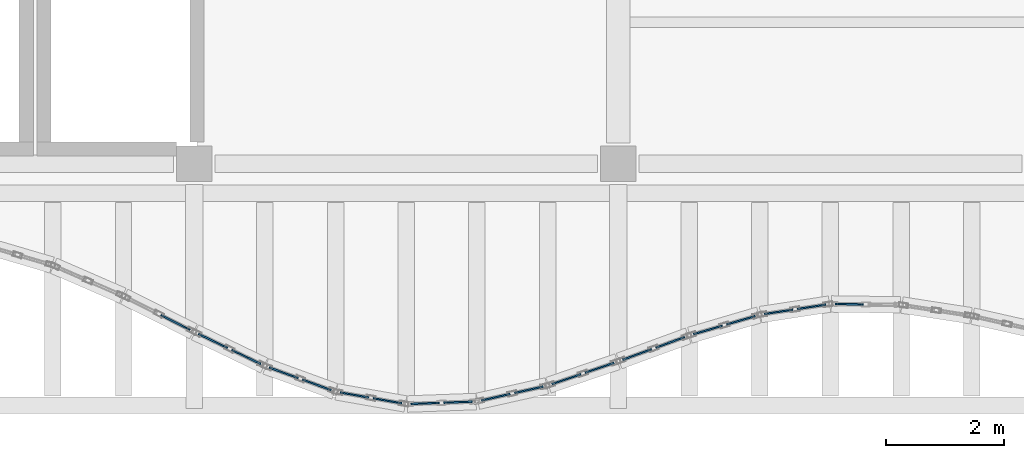
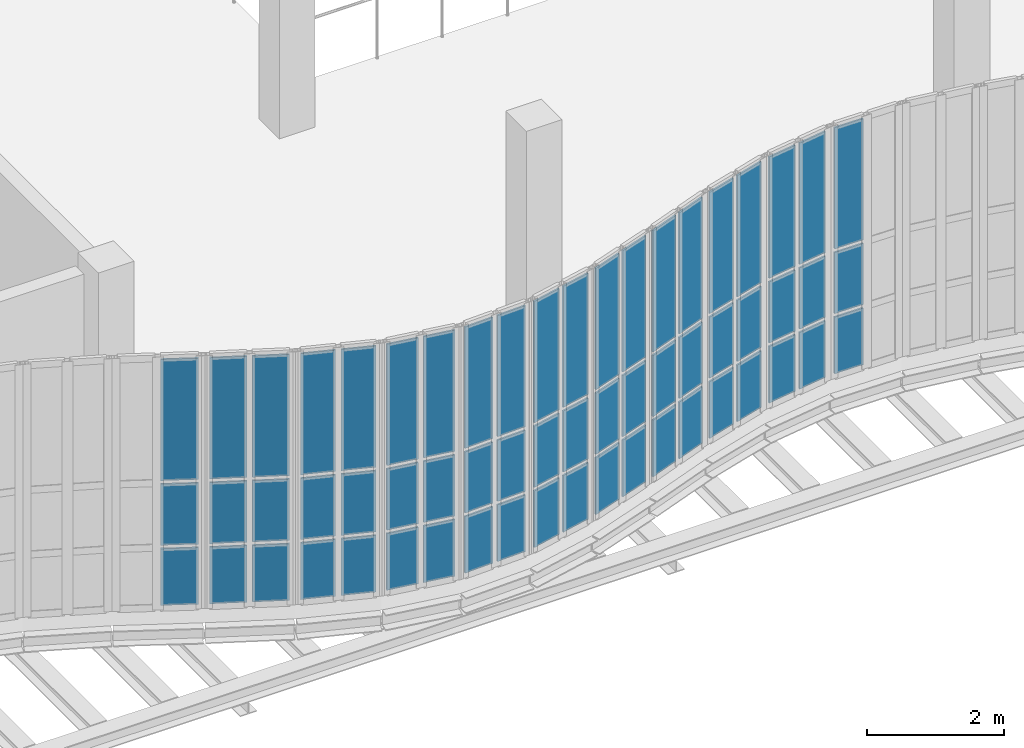
# One storey, part 75 of 105: 60 plates, 11 elements without a shape of their own.
"""IFC4 building model written with IfcOpenShell, lengths in metres."""

from ifc_helpers import new_model, si_unit, direction, frame, origin, origin_2d, place, context, subcontext, project, spatial, rectangle, extrude, material, layer, layer_set, type_object, element, aggregate, save


model = new_model("IFC4")

# Units and contexts
model_context = context("Model", 3, precision=1e-05, world=origin(), true_north=direction((0.0, 1.0)))
body_context = subcontext(model_context, "Body", "Model", "MODEL_VIEW")
ifc_project = project(units=[si_unit("LENGTHUNIT", "METRE"), si_unit("AREAUNIT", "SQUARE_METRE"), si_unit("VOLUMEUNIT", "CUBIC_METRE"), si_unit("PLANEANGLEUNIT", "RADIAN"), si_unit("MASSUNIT", "GRAM", prefix="KILO"), si_unit("THERMODYNAMICTEMPERATUREUNIT", "KELVIN"), si_unit("POWERUNIT", "WATT")], contexts=[model_context])

# Site, building, storey
site_placement = place(None, origin())
site = spatial("IfcSite", under=ifc_project, at=site_placement, CompositionType="ELEMENT")
building_placement = place(site_placement, origin())
building = spatial("IfcBuilding", under=site, at=building_placement, Name="Kaldorven Railside Theatre", CompositionType="ELEMENT")
storey_placement = place(building_placement, frame((0.0, 0.0, 9.89990234375)))
storey = spatial("IfcBuildingStorey", under=building, at=storey_placement, Name="L02", CompositionType="ELEMENT", Elevation=9.89990234375)

# Curtain wall, plates
ifc_material = material(Name="Low-E laminated solar-control glass", Category="glass")
ifc_layer_1 = layer(ifc_material, 0.159912109375, Name="Low-E laminated solar-control glass")
ifc_layer_set_1 = layer_set([ifc_layer_1], Name="Low-E laminated solar-control glass")
curtain_wall_type_1 = type_object("IfcCurtainWallType", Name="CWT-06", PredefinedType="USERDEFINED", material=ifc_layer_set_1)
curtain_wall_1_placement = place(storey_placement, origin())
curtain_wall_1 = element("IfcCurtainWall", 1, at=curtain_wall_1_placement, inside=storey, type_object=curtain_wall_type_1, Name="Sinusoidal Fluted Curtain Wall CW-L02-S30", ObjectType="FLUTED GLAZING", PredefinedType="USERDEFINED")
ifc_layer_2 = layer(ifc_material, 0.028076171875, Name="Low-E laminated solar-control glass")
ifc_layer_set_2 = layer_set([ifc_layer_2], Name="Low-E laminated solar-control glass")
plate_type = type_object("IfcPlateType", Name="CWP-GLZ28", PredefinedType="CURTAIN_PANEL", material=ifc_layer_set_2)
plate_1_placement = place(storey_placement, frame((72.482177734375, 16.508056640625, 0.06005859375), z_axis=(0.0, 0.0, 1.0), x_axis=(0.89230542934, -0.451432188451, 0.0)))
plate_1 = element("IfcPlate", 2, at=plate_1_placement, type_object=plate_type, Name="CW-L02-S30 panel 2.1", PredefinedType="CURTAIN_PANEL", context=body_context, shape_type="SweptSolid", body=[
    extrude(rectangle(XDim=0.552490234375, YDim=0.028076171875, at=origin_2d()), origin(), (0.0, 0.0, 1.0), 1.010009765625),
])
plate_2_placement = place(storey_placement, frame((72.482177734375, 16.508056640625, 1.1298828125), z_axis=(0.0, 0.0, 1.0), x_axis=(0.89230542934, -0.451432188451, 0.0)))
plate_2 = element("IfcPlate", 3, at=plate_2_placement, type_object=plate_type, Name="CW-L02-S30 panel 2.2", PredefinedType="CURTAIN_PANEL", context=body_context, shape_type="SweptSolid", body=[
    extrude(rectangle(XDim=0.552490234375, YDim=0.028076171875, at=origin_2d()), origin(), (0.0, 0.0, 1.0), 1.090087890625),
])
plate_3_placement = place(storey_placement, frame((72.482177734375, 16.508056640625, 2.2802734375), z_axis=(0.0, 0.0, 1.0), x_axis=(0.89230542934, -0.451432188451, 0.0)))
plate_3 = element("IfcPlate", 4, at=plate_3_placement, type_object=plate_type, Name="CW-L02-S30 panel 2.3", PredefinedType="CURTAIN_PANEL", context=body_context, shape_type="SweptSolid", body=[
    extrude(rectangle(XDim=0.552490234375, YDim=0.028076171875, at=origin_2d()), origin(), (0.0, 0.0, 1.0), 2.159912109375),
])
aggregate(curtain_wall_1, [plate_1, plate_2, plate_3])

curtain_wall_2_placement = place(storey_placement, origin())
curtain_wall_2 = element("IfcCurtainWall", 5, at=curtain_wall_2_placement, inside=storey, type_object=curtain_wall_type_1, Name="Sinusoidal Fluted Curtain Wall CW-L02-S31", ObjectType="FLUTED GLAZING", PredefinedType="USERDEFINED")
plate_4_placement = place(storey_placement, frame((73.117919921875, 16.194091796875, 0.06005859375), z_axis=(0.0, 0.0, 1.0), x_axis=(0.900789656015, -0.434255680006, 0.0)))
plate_4 = element("IfcPlate", 6, at=plate_4_placement, type_object=plate_type, Name="CW-L02-S31 panel 1.1", PredefinedType="CURTAIN_PANEL", context=body_context, shape_type="SweptSolid", body=[
    extrude(rectangle(XDim=0.546142578125, YDim=0.028076171875, at=origin_2d()), origin(), (0.0, 0.0, 1.0), 1.010009765625),
])
plate_5_placement = place(storey_placement, frame((73.117919921875, 16.194091796875, 1.1298828125), z_axis=(0.0, 0.0, 1.0), x_axis=(0.900789656015, -0.434255680006, 0.0)))
plate_5 = element("IfcPlate", 7, at=plate_5_placement, type_object=plate_type, Name="CW-L02-S31 panel 1.2", PredefinedType="CURTAIN_PANEL", context=body_context, shape_type="SweptSolid", body=[
    extrude(rectangle(XDim=0.546142578125, YDim=0.028076171875, at=origin_2d()), origin(), (0.0, 0.0, 1.0), 1.090087890625),
])
plate_6_placement = place(storey_placement, frame((73.117919921875, 16.194091796875, 2.2802734375), z_axis=(0.0, 0.0, 1.0), x_axis=(0.900789656015, -0.434255680006, 0.0)))
plate_6 = element("IfcPlate", 8, at=plate_6_placement, type_object=plate_type, Name="CW-L02-S31 panel 1.3", PredefinedType="CURTAIN_PANEL", context=body_context, shape_type="SweptSolid", body=[
    extrude(rectangle(XDim=0.546142578125, YDim=0.028076171875, at=origin_2d()), origin(), (0.0, 0.0, 1.0), 2.159912109375),
])
plate_7_placement = place(storey_placement, frame((73.681884765625, 15.922119140625, 0.06005859375), z_axis=(0.0, 0.0, 1.0), x_axis=(0.900789656015, -0.434255680006, 0.0)))
plate_7 = element("IfcPlate", 9, at=plate_7_placement, type_object=plate_type, Name="CW-L02-S31 panel 2.1", PredefinedType="CURTAIN_PANEL", context=body_context, shape_type="SweptSolid", body=[
    extrude(rectangle(XDim=0.546142578125, YDim=0.028076171875, at=origin_2d()), origin(), (0.0, 0.0, 1.0), 1.010009765625),
])
plate_8_placement = place(storey_placement, frame((73.681884765625, 15.922119140625, 1.1298828125), z_axis=(0.0, 0.0, 1.0), x_axis=(0.900789656015, -0.434255680006, 0.0)))
plate_8 = element("IfcPlate", 10, at=plate_8_placement, type_object=plate_type, Name="CW-L02-S31 panel 2.2", PredefinedType="CURTAIN_PANEL", context=body_context, shape_type="SweptSolid", body=[
    extrude(rectangle(XDim=0.546142578125, YDim=0.028076171875, at=origin_2d()), origin(), (0.0, 0.0, 1.0), 1.090087890625),
])
plate_9_placement = place(storey_placement, frame((73.681884765625, 15.922119140625, 2.2802734375), z_axis=(0.0, 0.0, 1.0), x_axis=(0.900789656015, -0.434255680006, 0.0)))
plate_9 = element("IfcPlate", 11, at=plate_9_placement, type_object=plate_type, Name="CW-L02-S31 panel 2.3", PredefinedType="CURTAIN_PANEL", context=body_context, shape_type="SweptSolid", body=[
    extrude(rectangle(XDim=0.546142578125, YDim=0.028076171875, at=origin_2d()), origin(), (0.0, 0.0, 1.0), 2.159912109375),
])
aggregate(curtain_wall_2, [plate_4, plate_5, plate_6, plate_7, plate_8, plate_9])

ifc_layer_3 = layer(ifc_material, 0.159912109375, Name="Low-E laminated solar-control glass")
ifc_layer_set_3 = layer_set([ifc_layer_3], Name="Low-E laminated solar-control glass")
curtain_wall_type_2 = type_object("IfcCurtainWallType", Name="CWT-01", PredefinedType="USERDEFINED", material=ifc_layer_set_3)
curtain_wall_3_placement = place(storey_placement, origin())
curtain_wall_3 = element("IfcCurtainWall", 12, at=curtain_wall_3_placement, inside=storey, type_object=curtain_wall_type_2, Name="Sinusoidal Fluted Curtain Wall CW-L02-S32", ObjectType="FLUTED GLAZING", PredefinedType="USERDEFINED")
plate_10_placement = place(storey_placement, frame((74.31884765625, 15.65283203125, 0.06005859375), z_axis=(0.0, 0.0, 1.0), x_axis=(0.939759120976, -0.341837380258, 0.0)))
plate_10 = element("IfcPlate", 13, at=plate_10_placement, type_object=plate_type, Name="CW-L02-S32 panel 1.1", PredefinedType="CURTAIN_PANEL", context=body_context, shape_type="SweptSolid", body=[
    extrude(rectangle(XDim=0.5185546875, YDim=0.028076171875, at=origin_2d()), origin(), (0.0, 0.0, 1.0), 1.010009765625),
])
plate_11_placement = place(storey_placement, frame((74.31884765625, 15.65283203125, 1.1298828125), z_axis=(0.0, 0.0, 1.0), x_axis=(0.939759120976, -0.341837380258, 0.0)))
plate_11 = element("IfcPlate", 14, at=plate_11_placement, type_object=plate_type, Name="CW-L02-S32 panel 1.2", PredefinedType="CURTAIN_PANEL", context=body_context, shape_type="SweptSolid", body=[
    extrude(rectangle(XDim=0.5185546875, YDim=0.028076171875, at=origin_2d()), origin(), (0.0, 0.0, 1.0), 1.090087890625),
])
plate_12_placement = place(storey_placement, frame((74.31884765625, 15.65283203125, 2.2802734375), z_axis=(0.0, 0.0, 1.0), x_axis=(0.939759120976, -0.341837380258, 0.0)))
plate_12 = element("IfcPlate", 15, at=plate_12_placement, type_object=plate_type, Name="CW-L02-S32 panel 1.3", PredefinedType="CURTAIN_PANEL", context=body_context, shape_type="SweptSolid", body=[
    extrude(rectangle(XDim=0.5185546875, YDim=0.028076171875, at=origin_2d()), origin(), (0.0, 0.0, 1.0), 2.159912109375),
])
plate_13_placement = place(storey_placement, frame((74.881103515625, 15.4482421875, 0.06005859375), z_axis=(0.0, 0.0, 1.0), x_axis=(0.939759120976, -0.341837380258, 0.0)))
plate_13 = element("IfcPlate", 16, at=plate_13_placement, type_object=plate_type, Name="CW-L02-S32 panel 2.1", PredefinedType="CURTAIN_PANEL", context=body_context, shape_type="SweptSolid", body=[
    extrude(rectangle(XDim=0.5185546875, YDim=0.028076171875, at=origin_2d()), origin(), (0.0, 0.0, 1.0), 1.010009765625),
])
plate_14_placement = place(storey_placement, frame((74.881103515625, 15.4482421875, 1.1298828125), z_axis=(0.0, 0.0, 1.0), x_axis=(0.939759120976, -0.341837380258, 0.0)))
plate_14 = element("IfcPlate", 17, at=plate_14_placement, type_object=plate_type, Name="CW-L02-S32 panel 2.2", PredefinedType="CURTAIN_PANEL", context=body_context, shape_type="SweptSolid", body=[
    extrude(rectangle(XDim=0.5185546875, YDim=0.028076171875, at=origin_2d()), origin(), (0.0, 0.0, 1.0), 1.090087890625),
])
plate_15_placement = place(storey_placement, frame((74.881103515625, 15.4482421875, 2.2802734375), z_axis=(0.0, 0.0, 1.0), x_axis=(0.939759120976, -0.341837380258, 0.0)))
plate_15 = element("IfcPlate", 18, at=plate_15_placement, type_object=plate_type, Name="CW-L02-S32 panel 2.3", PredefinedType="CURTAIN_PANEL", context=body_context, shape_type="SweptSolid", body=[
    extrude(rectangle(XDim=0.5185546875, YDim=0.028076171875, at=origin_2d()), origin(), (0.0, 0.0, 1.0), 2.159912109375),
])
aggregate(curtain_wall_3, [plate_10, plate_11, plate_12, plate_13, plate_14, plate_15])

ifc_layer_4 = layer(ifc_material, 0.159912109375, Name="Low-E laminated solar-control glass")
ifc_layer_set_4 = layer_set([ifc_layer_4], Name="Low-E laminated solar-control glass")
curtain_wall_type_3 = type_object("IfcCurtainWallType", Name="CWT-07", PredefinedType="USERDEFINED", material=ifc_layer_set_4)
curtain_wall_4_placement = place(storey_placement, origin())
curtain_wall_4 = element("IfcCurtainWall", 19, at=curtain_wall_4_placement, inside=storey, type_object=curtain_wall_type_3, Name="Sinusoidal Fluted Curtain Wall CW-L02-S33", ObjectType="FLUTED GLAZING", PredefinedType="USERDEFINED")
plate_16_placement = place(storey_placement, frame((75.519775390625, 15.276123046875, 0.06005859375), z_axis=(0.0, 0.0, 1.0), x_axis=(0.984876781697, -0.173256240507, 0.0)))
plate_16 = element("IfcPlate", 20, at=plate_16_placement, type_object=plate_type, Name="CW-L02-S33 panel 1.1", PredefinedType="CURTAIN_PANEL", context=body_context, shape_type="SweptSolid", body=[
    extrude(rectangle(XDim=0.4892578125, YDim=0.028076171875, at=origin_2d()), origin(), (0.0, 0.0, 1.0), 1.010009765625),
])
plate_17_placement = place(storey_placement, frame((75.519775390625, 15.276123046875, 1.1298828125), z_axis=(0.0, 0.0, 1.0), x_axis=(0.984876781697, -0.173256240507, 0.0)))
plate_17 = element("IfcPlate", 21, at=plate_17_placement, type_object=plate_type, Name="CW-L02-S33 panel 1.2", PredefinedType="CURTAIN_PANEL", context=body_context, shape_type="SweptSolid", body=[
    extrude(rectangle(XDim=0.4892578125, YDim=0.028076171875, at=origin_2d()), origin(), (0.0, 0.0, 1.0), 1.090087890625),
])
plate_18_placement = place(storey_placement, frame((75.519775390625, 15.276123046875, 2.2802734375), z_axis=(0.0, 0.0, 1.0), x_axis=(0.984876781697, -0.173256240507, 0.0)))
plate_18 = element("IfcPlate", 22, at=plate_18_placement, type_object=plate_type, Name="CW-L02-S33 panel 1.3", PredefinedType="CURTAIN_PANEL", context=body_context, shape_type="SweptSolid", body=[
    extrude(rectangle(XDim=0.4892578125, YDim=0.028076171875, at=origin_2d()), origin(), (0.0, 0.0, 1.0), 2.159912109375),
])
plate_19_placement = place(storey_placement, frame((76.080322265625, 15.177490234375, 0.06005859375), z_axis=(0.0, 0.0, 1.0), x_axis=(0.984876781697, -0.173256240507, 0.0)))
plate_19 = element("IfcPlate", 23, at=plate_19_placement, type_object=plate_type, Name="CW-L02-S33 panel 2.1", PredefinedType="CURTAIN_PANEL", context=body_context, shape_type="SweptSolid", body=[
    extrude(rectangle(XDim=0.4892578125, YDim=0.028076171875, at=origin_2d()), origin(), (0.0, 0.0, 1.0), 1.010009765625),
])
plate_20_placement = place(storey_placement, frame((76.080322265625, 15.177490234375, 1.1298828125), z_axis=(0.0, 0.0, 1.0), x_axis=(0.984876781697, -0.173256240507, 0.0)))
plate_20 = element("IfcPlate", 24, at=plate_20_placement, type_object=plate_type, Name="CW-L02-S33 panel 2.2", PredefinedType="CURTAIN_PANEL", context=body_context, shape_type="SweptSolid", body=[
    extrude(rectangle(XDim=0.4892578125, YDim=0.028076171875, at=origin_2d()), origin(), (0.0, 0.0, 1.0), 1.090087890625),
])
plate_21_placement = place(storey_placement, frame((76.080322265625, 15.177490234375, 2.2802734375), z_axis=(0.0, 0.0, 1.0), x_axis=(0.984876781697, -0.173256240507, 0.0)))
plate_21 = element("IfcPlate", 25, at=plate_21_placement, type_object=plate_type, Name="CW-L02-S33 panel 2.3", PredefinedType="CURTAIN_PANEL", context=body_context, shape_type="SweptSolid", body=[
    extrude(rectangle(XDim=0.4892578125, YDim=0.028076171875, at=origin_2d()), origin(), (0.0, 0.0, 1.0), 2.159912109375),
])
aggregate(curtain_wall_4, [plate_16, plate_17, plate_18, plate_19, plate_20, plate_21])

ifc_layer_5 = layer(ifc_material, 0.159912109375, Name="Low-E laminated solar-control glass")
ifc_layer_set_5 = layer_set([ifc_layer_5], Name="Low-E laminated solar-control glass")
curtain_wall_type_4 = type_object("IfcCurtainWallType", Name="CWT-03", PredefinedType="USERDEFINED", material=ifc_layer_set_5)
curtain_wall_5_placement = place(storey_placement, origin())
curtain_wall_5 = element("IfcCurtainWall", 26, at=curtain_wall_5_placement, inside=storey, type_object=curtain_wall_type_4, Name="Sinusoidal Fluted Curtain Wall CW-L02-S34", ObjectType="FLUTED GLAZING", PredefinedType="USERDEFINED")
plate_22_placement = place(storey_placement, frame((76.719970703125, 15.133056640625, 0.06005859375), z_axis=(0.0, 0.0, 1.0), x_axis=(0.999313121546, 0.037057861594, 0.0)))
plate_22 = element("IfcPlate", 27, at=plate_22_placement, type_object=plate_type, Name="CW-L02-S34 panel 1.1", PredefinedType="CURTAIN_PANEL", context=body_context, shape_type="SweptSolid", body=[
    extrude(rectangle(XDim=0.48046875, YDim=0.028076171875, at=origin_2d()), origin(), (0.0, 0.0, 1.0), 1.010009765625),
])
plate_23_placement = place(storey_placement, frame((76.719970703125, 15.133056640625, 1.1298828125), z_axis=(0.0, 0.0, 1.0), x_axis=(0.999313121546, 0.037057861594, 0.0)))
plate_23 = element("IfcPlate", 28, at=plate_23_placement, type_object=plate_type, Name="CW-L02-S34 panel 1.2", PredefinedType="CURTAIN_PANEL", context=body_context, shape_type="SweptSolid", body=[
    extrude(rectangle(XDim=0.48046875, YDim=0.028076171875, at=origin_2d()), origin(), (0.0, 0.0, 1.0), 1.090087890625),
])
plate_24_placement = place(storey_placement, frame((76.719970703125, 15.133056640625, 2.2802734375), z_axis=(0.0, 0.0, 1.0), x_axis=(0.999313121546, 0.037057861594, 0.0)))
plate_24 = element("IfcPlate", 29, at=plate_24_placement, type_object=plate_type, Name="CW-L02-S34 panel 1.3", PredefinedType="CURTAIN_PANEL", context=body_context, shape_type="SweptSolid", body=[
    extrude(rectangle(XDim=0.48046875, YDim=0.028076171875, at=origin_2d()), origin(), (0.0, 0.0, 1.0), 2.159912109375),
])
plate_25_placement = place(storey_placement, frame((77.280029296875, 15.15380859375, 0.06005859375), z_axis=(0.0, 0.0, 1.0), x_axis=(0.999313121546, 0.037057861594, 0.0)))
plate_25 = element("IfcPlate", 30, at=plate_25_placement, type_object=plate_type, Name="CW-L02-S34 panel 2.1", PredefinedType="CURTAIN_PANEL", context=body_context, shape_type="SweptSolid", body=[
    extrude(rectangle(XDim=0.48046875, YDim=0.028076171875, at=origin_2d()), origin(), (0.0, 0.0, 1.0), 1.010009765625),
])
plate_26_placement = place(storey_placement, frame((77.280029296875, 15.15380859375, 1.1298828125), z_axis=(0.0, 0.0, 1.0), x_axis=(0.999313121546, 0.037057861594, 0.0)))
plate_26 = element("IfcPlate", 31, at=plate_26_placement, type_object=plate_type, Name="CW-L02-S34 panel 2.2", PredefinedType="CURTAIN_PANEL", context=body_context, shape_type="SweptSolid", body=[
    extrude(rectangle(XDim=0.48046875, YDim=0.028076171875, at=origin_2d()), origin(), (0.0, 0.0, 1.0), 1.090087890625),
])
plate_27_placement = place(storey_placement, frame((77.280029296875, 15.15380859375, 2.2802734375), z_axis=(0.0, 0.0, 1.0), x_axis=(0.999313121546, 0.037057861594, 0.0)))
plate_27 = element("IfcPlate", 32, at=plate_27_placement, type_object=plate_type, Name="CW-L02-S34 panel 2.3", PredefinedType="CURTAIN_PANEL", context=body_context, shape_type="SweptSolid", body=[
    extrude(rectangle(XDim=0.48046875, YDim=0.028076171875, at=origin_2d()), origin(), (0.0, 0.0, 1.0), 2.159912109375),
])
aggregate(curtain_wall_5, [plate_22, plate_23, plate_24, plate_25, plate_26, plate_27])

ifc_layer_6 = layer(ifc_material, 0.159912109375, Name="Low-E laminated solar-control glass")
ifc_layer_set_6 = layer_set([ifc_layer_6], Name="Low-E laminated solar-control glass")
curtain_wall_type_5 = type_object("IfcCurtainWallType", Name="CWT-02", PredefinedType="USERDEFINED", material=ifc_layer_set_6)
curtain_wall_6_placement = place(storey_placement, origin())
curtain_wall_6 = element("IfcCurtainWall", 33, at=curtain_wall_6_placement, inside=storey, type_object=curtain_wall_type_5, Name="Sinusoidal Fluted Curtain Wall CW-L02-S35", ObjectType="FLUTED GLAZING", PredefinedType="USERDEFINED")
plate_28_placement = place(storey_placement, frame((77.91943359375, 15.237548828125, 0.06005859375), z_axis=(0.0, 0.0, 1.0), x_axis=(0.975679356911, 0.219202628857, 0.0)))
plate_28 = element("IfcPlate", 34, at=plate_28_placement, type_object=plate_type, Name="CW-L02-S35 panel 1.1", PredefinedType="CURTAIN_PANEL", context=body_context, shape_type="SweptSolid", body=[
    extrude(rectangle(XDim=0.494873046875, YDim=0.028076171875, at=origin_2d()), origin(), (0.0, 0.0, 1.0), 1.010009765625),
])
plate_29_placement = place(storey_placement, frame((77.91943359375, 15.237548828125, 1.1298828125), z_axis=(0.0, 0.0, 1.0), x_axis=(0.975679356911, 0.219202628857, 0.0)))
plate_29 = element("IfcPlate", 35, at=plate_29_placement, type_object=plate_type, Name="CW-L02-S35 panel 1.2", PredefinedType="CURTAIN_PANEL", context=body_context, shape_type="SweptSolid", body=[
    extrude(rectangle(XDim=0.494873046875, YDim=0.028076171875, at=origin_2d()), origin(), (0.0, 0.0, 1.0), 1.090087890625),
])
plate_30_placement = place(storey_placement, frame((77.91943359375, 15.237548828125, 2.2802734375), z_axis=(0.0, 0.0, 1.0), x_axis=(0.975679356911, 0.219202628857, 0.0)))
plate_30 = element("IfcPlate", 36, at=plate_30_placement, type_object=plate_type, Name="CW-L02-S35 panel 1.3", PredefinedType="CURTAIN_PANEL", context=body_context, shape_type="SweptSolid", body=[
    extrude(rectangle(XDim=0.494873046875, YDim=0.028076171875, at=origin_2d()), origin(), (0.0, 0.0, 1.0), 2.159912109375),
])
plate_31_placement = place(storey_placement, frame((78.48046875, 15.363525390625, 0.06005859375), z_axis=(0.0, 0.0, 1.0), x_axis=(0.975679356911, 0.219202628857, 0.0)))
plate_31 = element("IfcPlate", 37, at=plate_31_placement, type_object=plate_type, Name="CW-L02-S35 panel 2.1", PredefinedType="CURTAIN_PANEL", context=body_context, shape_type="SweptSolid", body=[
    extrude(rectangle(XDim=0.494873046875, YDim=0.028076171875, at=origin_2d()), origin(), (0.0, 0.0, 1.0), 1.010009765625),
])
plate_32_placement = place(storey_placement, frame((78.48046875, 15.363525390625, 1.1298828125), z_axis=(0.0, 0.0, 1.0), x_axis=(0.975679356911, 0.219202628857, 0.0)))
plate_32 = element("IfcPlate", 38, at=plate_32_placement, type_object=plate_type, Name="CW-L02-S35 panel 2.2", PredefinedType="CURTAIN_PANEL", context=body_context, shape_type="SweptSolid", body=[
    extrude(rectangle(XDim=0.494873046875, YDim=0.028076171875, at=origin_2d()), origin(), (0.0, 0.0, 1.0), 1.090087890625),
])
plate_33_placement = place(storey_placement, frame((78.48046875, 15.363525390625, 2.2802734375), z_axis=(0.0, 0.0, 1.0), x_axis=(0.975679356911, 0.219202628857, 0.0)))
plate_33 = element("IfcPlate", 39, at=plate_33_placement, type_object=plate_type, Name="CW-L02-S35 panel 2.3", PredefinedType="CURTAIN_PANEL", context=body_context, shape_type="SweptSolid", body=[
    extrude(rectangle(XDim=0.494873046875, YDim=0.028076171875, at=origin_2d()), origin(), (0.0, 0.0, 1.0), 2.159912109375),
])
aggregate(curtain_wall_6, [plate_28, plate_29, plate_30, plate_31, plate_32, plate_33])

ifc_layer_7 = layer(ifc_material, 0.159912109375, Name="Low-E laminated solar-control glass")
ifc_layer_set_7 = layer_set([ifc_layer_7], Name="Low-E laminated solar-control glass")
curtain_wall_type_6 = type_object("IfcCurtainWallType", Name="CWT-04", PredefinedType="USERDEFINED", material=ifc_layer_set_7)
curtain_wall_7_placement = place(storey_placement, origin())
curtain_wall_7 = element("IfcCurtainWall", 40, at=curtain_wall_7_placement, inside=storey, type_object=curtain_wall_type_6, Name="Sinusoidal Fluted Curtain Wall CW-L02-S36", ObjectType="FLUTED GLAZING", PredefinedType="USERDEFINED")
plate_34_placement = place(storey_placement, frame((79.118896484375, 15.544677734375, 0.06005859375), z_axis=(0.0, 0.0, 1.0), x_axis=(0.946025386444, 0.324092530311, 0.0)))
plate_34 = element("IfcPlate", 41, at=plate_34_placement, type_object=plate_type, Name="CW-L02-S36 panel 1.1", PredefinedType="CURTAIN_PANEL", context=body_context, shape_type="SweptSolid", body=[
    extrude(rectangle(XDim=0.51416015625, YDim=0.028076171875, at=origin_2d()), origin(), (0.0, 0.0, 1.0), 1.010009765625),
])
plate_35_placement = place(storey_placement, frame((79.118896484375, 15.544677734375, 1.1298828125), z_axis=(0.0, 0.0, 1.0), x_axis=(0.946025386444, 0.324092530311, 0.0)))
plate_35 = element("IfcPlate", 42, at=plate_35_placement, type_object=plate_type, Name="CW-L02-S36 panel 1.2", PredefinedType="CURTAIN_PANEL", context=body_context, shape_type="SweptSolid", body=[
    extrude(rectangle(XDim=0.51416015625, YDim=0.028076171875, at=origin_2d()), origin(), (0.0, 0.0, 1.0), 1.090087890625),
])
plate_36_placement = place(storey_placement, frame((79.118896484375, 15.544677734375, 2.2802734375), z_axis=(0.0, 0.0, 1.0), x_axis=(0.946025386444, 0.324092530311, 0.0)))
plate_36 = element("IfcPlate", 43, at=plate_36_placement, type_object=plate_type, Name="CW-L02-S36 panel 1.3", PredefinedType="CURTAIN_PANEL", context=body_context, shape_type="SweptSolid", body=[
    extrude(rectangle(XDim=0.51416015625, YDim=0.028076171875, at=origin_2d()), origin(), (0.0, 0.0, 1.0), 2.159912109375),
])
plate_37_placement = place(storey_placement, frame((79.68115234375, 15.737060546875, 0.06005859375), z_axis=(0.0, 0.0, 1.0), x_axis=(0.946025386444, 0.324092530311, 0.0)))
plate_37 = element("IfcPlate", 44, at=plate_37_placement, type_object=plate_type, Name="CW-L02-S36 panel 2.1", PredefinedType="CURTAIN_PANEL", context=body_context, shape_type="SweptSolid", body=[
    extrude(rectangle(XDim=0.51416015625, YDim=0.028076171875, at=origin_2d()), origin(), (0.0, 0.0, 1.0), 1.010009765625),
])
plate_38_placement = place(storey_placement, frame((79.68115234375, 15.737060546875, 1.1298828125), z_axis=(0.0, 0.0, 1.0), x_axis=(0.946025386444, 0.324092530311, 0.0)))
plate_38 = element("IfcPlate", 45, at=plate_38_placement, type_object=plate_type, Name="CW-L02-S36 panel 2.2", PredefinedType="CURTAIN_PANEL", context=body_context, shape_type="SweptSolid", body=[
    extrude(rectangle(XDim=0.51416015625, YDim=0.028076171875, at=origin_2d()), origin(), (0.0, 0.0, 1.0), 1.090087890625),
])
plate_39_placement = place(storey_placement, frame((79.68115234375, 15.737060546875, 2.2802734375), z_axis=(0.0, 0.0, 1.0), x_axis=(0.946025386444, 0.324092530311, 0.0)))
plate_39 = element("IfcPlate", 46, at=plate_39_placement, type_object=plate_type, Name="CW-L02-S36 panel 2.3", PredefinedType="CURTAIN_PANEL", context=body_context, shape_type="SweptSolid", body=[
    extrude(rectangle(XDim=0.51416015625, YDim=0.028076171875, at=origin_2d()), origin(), (0.0, 0.0, 1.0), 2.159912109375),
])
aggregate(curtain_wall_7, [plate_34, plate_35, plate_36, plate_37, plate_38, plate_39])

curtain_wall_8_placement = place(storey_placement, origin())
curtain_wall_8 = element("IfcCurtainWall", 47, at=curtain_wall_8_placement, inside=storey, type_object=curtain_wall_type_2, Name="Sinusoidal Fluted Curtain Wall CW-L02-S37", ObjectType="FLUTED GLAZING", PredefinedType="USERDEFINED")
plate_40_placement = place(storey_placement, frame((80.31884765625, 15.962890625, 0.06005859375), z_axis=(0.0, 0.0, 1.0), x_axis=(0.939154260097, 0.343495670631, 0.0)))
plate_40 = element("IfcPlate", 48, at=plate_40_placement, type_object=plate_type, Name="CW-L02-S37 panel 1.1", PredefinedType="CURTAIN_PANEL", context=body_context, shape_type="SweptSolid", body=[
    extrude(rectangle(XDim=0.518798828125, YDim=0.028076171875, at=origin_2d()), origin(), (0.0, 0.0, 1.0), 1.010009765625),
])
plate_41_placement = place(storey_placement, frame((80.31884765625, 15.962890625, 1.1298828125), z_axis=(0.0, 0.0, 1.0), x_axis=(0.939154260097, 0.343495670631, 0.0)))
plate_41 = element("IfcPlate", 49, at=plate_41_placement, type_object=plate_type, Name="CW-L02-S37 panel 1.2", PredefinedType="CURTAIN_PANEL", context=body_context, shape_type="SweptSolid", body=[
    extrude(rectangle(XDim=0.518798828125, YDim=0.028076171875, at=origin_2d()), origin(), (0.0, 0.0, 1.0), 1.090087890625),
])
plate_42_placement = place(storey_placement, frame((80.31884765625, 15.962890625, 2.2802734375), z_axis=(0.0, 0.0, 1.0), x_axis=(0.939154260097, 0.343495670631, 0.0)))
plate_42 = element("IfcPlate", 50, at=plate_42_placement, type_object=plate_type, Name="CW-L02-S37 panel 1.3", PredefinedType="CURTAIN_PANEL", context=body_context, shape_type="SweptSolid", body=[
    extrude(rectangle(XDim=0.518798828125, YDim=0.028076171875, at=origin_2d()), origin(), (0.0, 0.0, 1.0), 2.159912109375),
])
plate_43_placement = place(storey_placement, frame((80.881103515625, 16.168701171875, 0.06005859375), z_axis=(0.0, 0.0, 1.0), x_axis=(0.939154260097, 0.343495670631, 0.0)))
plate_43 = element("IfcPlate", 51, at=plate_43_placement, type_object=plate_type, Name="CW-L02-S37 panel 2.1", PredefinedType="CURTAIN_PANEL", context=body_context, shape_type="SweptSolid", body=[
    extrude(rectangle(XDim=0.518798828125, YDim=0.028076171875, at=origin_2d()), origin(), (0.0, 0.0, 1.0), 1.010009765625),
])
plate_44_placement = place(storey_placement, frame((80.881103515625, 16.168701171875, 1.1298828125), z_axis=(0.0, 0.0, 1.0), x_axis=(0.939154260097, 0.343495670631, 0.0)))
plate_44 = element("IfcPlate", 52, at=plate_44_placement, type_object=plate_type, Name="CW-L02-S37 panel 2.2", PredefinedType="CURTAIN_PANEL", context=body_context, shape_type="SweptSolid", body=[
    extrude(rectangle(XDim=0.518798828125, YDim=0.028076171875, at=origin_2d()), origin(), (0.0, 0.0, 1.0), 1.090087890625),
])
plate_45_placement = place(storey_placement, frame((80.881103515625, 16.168701171875, 2.2802734375), z_axis=(0.0, 0.0, 1.0), x_axis=(0.939154260097, 0.343495670631, 0.0)))
plate_45 = element("IfcPlate", 53, at=plate_45_placement, type_object=plate_type, Name="CW-L02-S37 panel 2.3", PredefinedType="CURTAIN_PANEL", context=body_context, shape_type="SweptSolid", body=[
    extrude(rectangle(XDim=0.518798828125, YDim=0.028076171875, at=origin_2d()), origin(), (0.0, 0.0, 1.0), 2.159912109375),
])
aggregate(curtain_wall_8, [plate_40, plate_41, plate_42, plate_43, plate_44, plate_45])

curtain_wall_9_placement = place(storey_placement, origin())
curtain_wall_9 = element("IfcCurtainWall", 54, at=curtain_wall_9_placement, inside=storey, type_object=curtain_wall_type_6, Name="Sinusoidal Fluted Curtain Wall CW-L02-S38", ObjectType="FLUTED GLAZING", PredefinedType="USERDEFINED")
plate_46_placement = place(storey_placement, frame((81.519287109375, 16.379150390625, 0.06005859375), z_axis=(0.0, 0.0, 1.0), x_axis=(0.959417682773, 0.281988847266, 0.0)))
plate_46 = element("IfcPlate", 55, at=plate_46_placement, type_object=plate_type, Name="CW-L02-S38 panel 1.1", PredefinedType="CURTAIN_PANEL", context=body_context, shape_type="SweptSolid", body=[
    extrude(rectangle(XDim=0.50537109375, YDim=0.028076171875, at=origin_2d()), origin(), (0.0, 0.0, 1.0), 1.010009765625),
])
plate_47_placement = place(storey_placement, frame((81.519287109375, 16.379150390625, 1.1298828125), z_axis=(0.0, 0.0, 1.0), x_axis=(0.959417682773, 0.281988847266, 0.0)))
plate_47 = element("IfcPlate", 56, at=plate_47_placement, type_object=plate_type, Name="CW-L02-S38 panel 1.2", PredefinedType="CURTAIN_PANEL", context=body_context, shape_type="SweptSolid", body=[
    extrude(rectangle(XDim=0.50537109375, YDim=0.028076171875, at=origin_2d()), origin(), (0.0, 0.0, 1.0), 1.090087890625),
])
plate_48_placement = place(storey_placement, frame((81.519287109375, 16.379150390625, 2.2802734375), z_axis=(0.0, 0.0, 1.0), x_axis=(0.959417682773, 0.281988847266, 0.0)))
plate_48 = element("IfcPlate", 57, at=plate_48_placement, type_object=plate_type, Name="CW-L02-S38 panel 1.3", PredefinedType="CURTAIN_PANEL", context=body_context, shape_type="SweptSolid", body=[
    extrude(rectangle(XDim=0.50537109375, YDim=0.028076171875, at=origin_2d()), origin(), (0.0, 0.0, 1.0), 2.159912109375),
])
plate_49_placement = place(storey_placement, frame((82.080810546875, 16.544189453125, 0.06005859375), z_axis=(0.0, 0.0, 1.0), x_axis=(0.959417682773, 0.281988847266, 0.0)))
plate_49 = element("IfcPlate", 58, at=plate_49_placement, type_object=plate_type, Name="CW-L02-S38 panel 2.1", PredefinedType="CURTAIN_PANEL", context=body_context, shape_type="SweptSolid", body=[
    extrude(rectangle(XDim=0.50537109375, YDim=0.028076171875, at=origin_2d()), origin(), (0.0, 0.0, 1.0), 1.010009765625),
])
plate_50_placement = place(storey_placement, frame((82.080810546875, 16.544189453125, 1.1298828125), z_axis=(0.0, 0.0, 1.0), x_axis=(0.959417682773, 0.281988847266, 0.0)))
plate_50 = element("IfcPlate", 59, at=plate_50_placement, type_object=plate_type, Name="CW-L02-S38 panel 2.2", PredefinedType="CURTAIN_PANEL", context=body_context, shape_type="SweptSolid", body=[
    extrude(rectangle(XDim=0.50537109375, YDim=0.028076171875, at=origin_2d()), origin(), (0.0, 0.0, 1.0), 1.090087890625),
])
plate_51_placement = place(storey_placement, frame((82.080810546875, 16.544189453125, 2.2802734375), z_axis=(0.0, 0.0, 1.0), x_axis=(0.959417682773, 0.281988847266, 0.0)))
plate_51 = element("IfcPlate", 60, at=plate_51_placement, type_object=plate_type, Name="CW-L02-S38 panel 2.3", PredefinedType="CURTAIN_PANEL", context=body_context, shape_type="SweptSolid", body=[
    extrude(rectangle(XDim=0.50537109375, YDim=0.028076171875, at=origin_2d()), origin(), (0.0, 0.0, 1.0), 2.159912109375),
])
aggregate(curtain_wall_9, [plate_46, plate_47, plate_48, plate_49, plate_50, plate_51])

curtain_wall_10_placement = place(storey_placement, origin())
curtain_wall_10 = element("IfcCurtainWall", 61, at=curtain_wall_10_placement, inside=storey, type_object=curtain_wall_type_3, Name="Sinusoidal Fluted Curtain Wall CW-L02-S39", ObjectType="FLUTED GLAZING", PredefinedType="USERDEFINED")
plate_52_placement = place(storey_placement, frame((82.7197265625, 16.686767578125, 0.06005859375), z_axis=(0.0, 0.0, 1.0), x_axis=(0.988546274973, 0.150918064648, 0.0)))
plate_52 = element("IfcPlate", 62, at=plate_52_placement, type_object=plate_type, Name="CW-L02-S39 panel 1.1", PredefinedType="CURTAIN_PANEL", context=body_context, shape_type="SweptSolid", body=[
    extrude(rectangle(XDim=0.487060546875, YDim=0.028076171875, at=origin_2d()), origin(), (0.0, 0.0, 1.0), 1.010009765625),
])
plate_53_placement = place(storey_placement, frame((82.7197265625, 16.686767578125, 1.1298828125), z_axis=(0.0, 0.0, 1.0), x_axis=(0.988546274973, 0.150918064648, 0.0)))
plate_53 = element("IfcPlate", 63, at=plate_53_placement, type_object=plate_type, Name="CW-L02-S39 panel 1.2", PredefinedType="CURTAIN_PANEL", context=body_context, shape_type="SweptSolid", body=[
    extrude(rectangle(XDim=0.487060546875, YDim=0.028076171875, at=origin_2d()), origin(), (0.0, 0.0, 1.0), 1.090087890625),
])
plate_54_placement = place(storey_placement, frame((82.7197265625, 16.686767578125, 2.2802734375), z_axis=(0.0, 0.0, 1.0), x_axis=(0.988546274973, 0.150918064648, 0.0)))
plate_54 = element("IfcPlate", 64, at=plate_54_placement, type_object=plate_type, Name="CW-L02-S39 panel 1.3", PredefinedType="CURTAIN_PANEL", context=body_context, shape_type="SweptSolid", body=[
    extrude(rectangle(XDim=0.487060546875, YDim=0.028076171875, at=origin_2d()), origin(), (0.0, 0.0, 1.0), 2.159912109375),
])
plate_55_placement = place(storey_placement, frame((83.2802734375, 16.7724609375, 0.06005859375), z_axis=(0.0, 0.0, 1.0), x_axis=(0.988546274973, 0.150918064648, 0.0)))
plate_55 = element("IfcPlate", 65, at=plate_55_placement, type_object=plate_type, Name="CW-L02-S39 panel 2.1", PredefinedType="CURTAIN_PANEL", context=body_context, shape_type="SweptSolid", body=[
    extrude(rectangle(XDim=0.487060546875, YDim=0.028076171875, at=origin_2d()), origin(), (0.0, 0.0, 1.0), 1.010009765625),
])
plate_56_placement = place(storey_placement, frame((83.2802734375, 16.7724609375, 1.1298828125), z_axis=(0.0, 0.0, 1.0), x_axis=(0.988546274973, 0.150918064648, 0.0)))
plate_56 = element("IfcPlate", 66, at=plate_56_placement, type_object=plate_type, Name="CW-L02-S39 panel 2.2", PredefinedType="CURTAIN_PANEL", context=body_context, shape_type="SweptSolid", body=[
    extrude(rectangle(XDim=0.487060546875, YDim=0.028076171875, at=origin_2d()), origin(), (0.0, 0.0, 1.0), 1.090087890625),
])
plate_57_placement = place(storey_placement, frame((83.2802734375, 16.7724609375, 2.2802734375), z_axis=(0.0, 0.0, 1.0), x_axis=(0.988546274973, 0.150918064648, 0.0)))
plate_57 = element("IfcPlate", 67, at=plate_57_placement, type_object=plate_type, Name="CW-L02-S39 panel 2.3", PredefinedType="CURTAIN_PANEL", context=body_context, shape_type="SweptSolid", body=[
    extrude(rectangle(XDim=0.487060546875, YDim=0.028076171875, at=origin_2d()), origin(), (0.0, 0.0, 1.0), 2.159912109375),
])
aggregate(curtain_wall_10, [plate_52, plate_53, plate_54, plate_55, plate_56, plate_57])

curtain_wall_11_placement = place(storey_placement, origin())
curtain_wall_11 = element("IfcCurtainWall", 68, at=curtain_wall_11_placement, inside=storey, type_object=curtain_wall_type_4, Name="Sinusoidal Fluted Curtain Wall CW-L02-S40", ObjectType="FLUTED GLAZING", PredefinedType="USERDEFINED")
plate_58_placement = place(storey_placement, frame((83.919921875, 16.81689453125, 0.06005859375), z_axis=(0.0, 0.0, 1.0), x_axis=(0.999904333174, -0.013832009936, 0.0)))
plate_58 = element("IfcPlate", 69, at=plate_58_placement, type_object=plate_type, Name="CW-L02-S40 panel 1.1", PredefinedType="CURTAIN_PANEL", context=body_context, shape_type="SweptSolid", body=[
    extrude(rectangle(XDim=0.47998046875, YDim=0.028076171875, at=origin_2d()), origin(), (0.0, 0.0, 1.0), 1.010009765625),
])
plate_59_placement = place(storey_placement, frame((83.919921875, 16.81689453125, 1.1298828125), z_axis=(0.0, 0.0, 1.0), x_axis=(0.999904333174, -0.013832009936, 0.0)))
plate_59 = element("IfcPlate", 70, at=plate_59_placement, type_object=plate_type, Name="CW-L02-S40 panel 1.2", PredefinedType="CURTAIN_PANEL", context=body_context, shape_type="SweptSolid", body=[
    extrude(rectangle(XDim=0.47998046875, YDim=0.028076171875, at=origin_2d()), origin(), (0.0, 0.0, 1.0), 1.090087890625),
])
plate_60_placement = place(storey_placement, frame((83.919921875, 16.81689453125, 2.2802734375), z_axis=(0.0, 0.0, 1.0), x_axis=(0.999904333174, -0.013832009936, 0.0)))
plate_60 = element("IfcPlate", 71, at=plate_60_placement, type_object=plate_type, Name="CW-L02-S40 panel 1.3", PredefinedType="CURTAIN_PANEL", context=body_context, shape_type="SweptSolid", body=[
    extrude(rectangle(XDim=0.47998046875, YDim=0.028076171875, at=origin_2d()), origin(), (0.0, 0.0, 1.0), 2.159912109375),
])
aggregate(curtain_wall_11, [plate_58, plate_59, plate_60])

save(model, "model.ifc")
